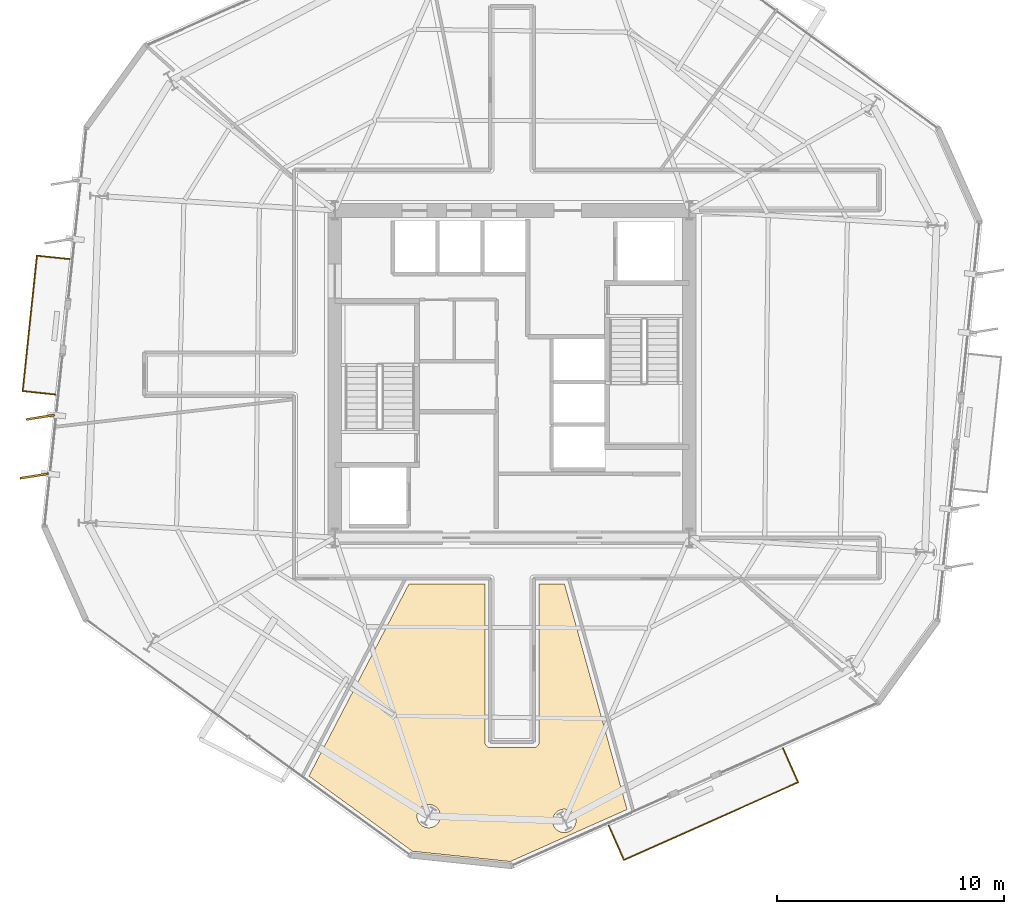
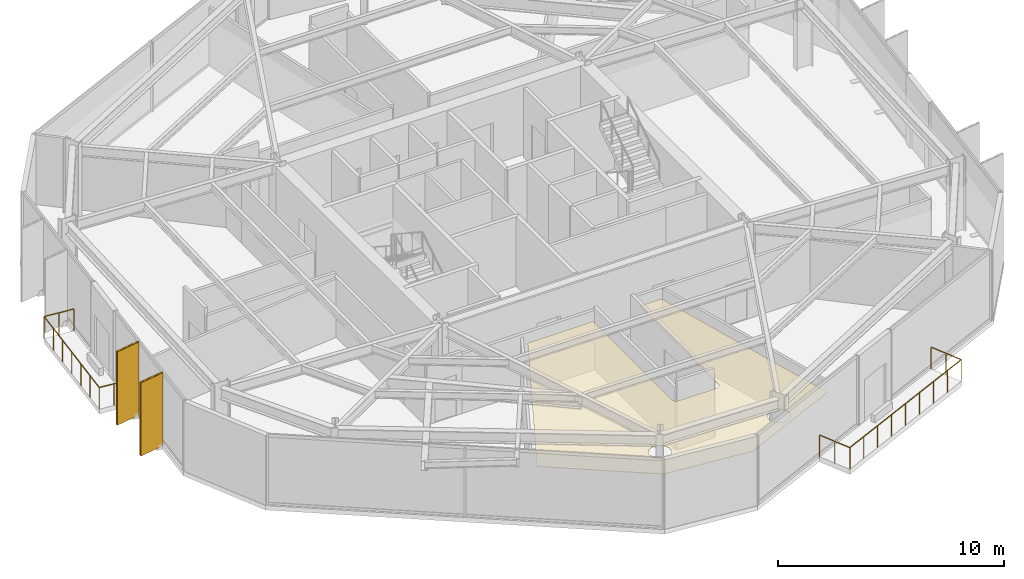
# One storey, part 9 of 13: 3 coverings, 2 railings, 2 shading devices.
"""IFC4 building model written with IfcOpenShell, lengths in metres."""

from ifc_helpers import new_model, si_unit, direction, frame, origin, origin_2d, place, context, subcontext, project, spatial, polyline, rectangle, circle, outline, extrude, material, layer, layer_set, type_object, element, save


model = new_model("IFC4")

# Units and contexts
model_context = context("Model", 3, precision=1e-05, world=origin(), true_north=direction((0.0, 1.0)))
body_context = subcontext(model_context, "Body", "Model", "MODEL_VIEW")
ifc_project = project(units=[si_unit("LENGTHUNIT", "METRE"), si_unit("AREAUNIT", "SQUARE_METRE"), si_unit("VOLUMEUNIT", "CUBIC_METRE"), si_unit("PLANEANGLEUNIT", "RADIAN"), si_unit("MASSUNIT", "GRAM", prefix="KILO")], contexts=[model_context])

# Site, building, storey
site_placement = place(None, origin())
site = spatial("IfcSite", under=ifc_project, at=site_placement, CompositionType="ELEMENT")
building_placement = place(site_placement, origin())
building = spatial("IfcBuilding", under=site, at=building_placement, Name="Kranzbogen Civic Tower", CompositionType="ELEMENT")
storey_placement = place(building_placement, frame((0.0, 0.0, 118.39990234375)))
storey = spatial("IfcBuildingStorey", under=building, at=storey_placement, Name="L28", CompositionType="ELEMENT", Elevation=118.39990234375)

# Coverings
ifc_material_1 = material(Name="Pale Anodised Aluminium", Category="aluminium")
ifc_layer_1 = layer(ifc_material_1, 0.02490234375, Name="Pale Anodised Aluminium")
ifc_layer_set_1 = layer_set([ifc_layer_1], Name="Pale Anodised Aluminium")
covering_type_1 = type_object("IfcCoveringType", Name="Anodised Aluminium Vertical Fin Cladding 25 mm", PredefinedType="CLADDING", material=ifc_layer_set_1)
for number, where, z_axis, x_axis, name in (
    (1, (4.23388671875, 23.097900390625, -0.139892578125), (0.0, 0.0, 1.0), (-0.987350238478, -0.158554427807, 0.0), "L28 vertical fin pale-metal cladding F3-5"),
    (2, (3.9619140625, 20.511962890625, -0.139892578125), (0.0, 0.0, 1.0), (-0.987350238478, -0.158554427807, 0.0), "L28 vertical fin pale-metal cladding F3-6"),
):
    element("IfcCovering", number, at=place(storey_placement, frame(where, z_axis=z_axis, x_axis=x_axis)), inside=storey, type_object=covering_type_1, Name=name, PredefinedType="CLADDING", context=body_context, shape_type="SweptSolid", body=[
        extrude(rectangle(XDim=1.25, YDim=0.10009765625, at=origin_2d()), origin(), (0.0, 0.0, 1.0), 3.9599609375),
    ])

# Shading devices
ifc_material_2 = material(Name="Anodised Bronze Aluminium", Category="aluminium")
shading_device_type = type_object("IfcShadingDeviceType", Name="Anodised Bronze Vertical Facade Fin 1250x80", PredefinedType="USERDEFINED", material=ifc_material_2)
for number, where, z_axis, x_axis, name in (
    (3, (4.23388671875, 23.097900390625, -0.139892578125), (0.0, 0.0, 1.0), (-0.987350238478, -0.158554427807, 0.0), "L28 vertical exterior shading fin F3-5"),
    (4, (3.9619140625, 20.511962890625, -0.139892578125), (0.0, 0.0, 1.0), (-0.987350238478, -0.158554427807, 0.0), "L28 vertical exterior shading fin F3-6"),
):
    element("IfcShadingDevice", number, at=place(storey_placement, frame(where, z_axis=z_axis, x_axis=x_axis)), inside=storey, type_object=shading_device_type, Name=name, ObjectType="FIN", PredefinedType="USERDEFINED", context=body_context, shape_type="SweptSolid", body=[
        extrude(rectangle(XDim=1.25, YDim=0.080078125, at=origin_2d()), origin(), (0.0, 0.0, 1.0), 3.9599609375),
    ])

# Railings
railing_type = type_object("IfcRailingType", Name="Cantilevered Balcony Glass and Bronze Balustrade 1200", PredefinedType="BALUSTRADE", material=ifc_material_2)
railing_1_placement = place(storey_placement, frame((5.52294921875, 30.06396484375, 0.0)))
element("IfcRailing", 5, at=railing_1_placement, inside=storey, type_object=railing_type, Name="L28 exterior terrace balustrade L28-TB2", PredefinedType="BALUSTRADE", context=body_context, shape_type="SweptSolid", body=[
    extrude(circle(Radius=0.02392578125, at=origin_2d()), frame((0.0, 0.0, 1.17578125), z_axis=(-0.994482362328, 0.104903913263, 0.0), x_axis=(-0.104903913263, -0.994482362328, 0.0)), (0.0, 0.0, 1.0), 1.449951171875),
    extrude(circle(Radius=0.02392578125, at=origin_2d()), frame((-1.44189453125, 0.152099609375, 1.17578125), z_axis=(-0.104695375061, -0.99450433807, 0.0), x_axis=(0.99450433807, -0.104695375061, 0.0)), (0.0, 0.0, 1.0), 6.0),
    extrude(circle(Radius=0.02392578125, at=origin_2d()), frame((-2.070068359375, -5.81494140625, 1.17578125), z_axis=(0.994484214912, -0.104886349397, 0.0), x_axis=(0.104886349397, 0.994484214912, 0.0)), (0.0, 0.0, 1.0), 1.4501953125),
    extrude(circle(Radius=0.02099609375, at=origin_2d()), origin(), (0.0, 0.0, 1.0), 1.15185546875),
    extrude(circle(Radius=0.02099609375, at=origin_2d()), frame((-0.720947265625, 0.076171875, 0.0)), (0.0, 0.0, 1.0), 1.15185546875),
    extrude(circle(Radius=0.02099609375, at=origin_2d()), frame((-1.44189453125, 0.152099609375, 0.0)), (0.0, 0.0, 1.0), 1.15185546875),
    extrude(circle(Radius=0.02099609375, at=origin_2d()), frame((-1.546630859375, -0.84228515625, 0.0)), (0.0, 0.0, 1.0), 1.15185546875),
    extrude(circle(Radius=0.02099609375, at=origin_2d()), frame((-1.6513671875, -1.8369140625, 0.0)), (0.0, 0.0, 1.0), 1.15185546875),
    extrude(circle(Radius=0.02099609375, at=origin_2d()), frame((-1.755859375, -2.83154296875, 0.0)), (0.0, 0.0, 1.0), 1.15185546875),
    extrude(circle(Radius=0.02099609375, at=origin_2d()), frame((-1.860595703125, -3.825927734375, 0.0)), (0.0, 0.0, 1.0), 1.15185546875),
    extrude(circle(Radius=0.02099609375, at=origin_2d()), frame((-1.96533203125, -4.8203125, 0.0)), (0.0, 0.0, 1.0), 1.15185546875),
    extrude(circle(Radius=0.02099609375, at=origin_2d()), frame((-2.070068359375, -5.81494140625, 0.0)), (0.0, 0.0, 1.0), 1.15185546875),
    extrude(circle(Radius=0.02099609375, at=origin_2d()), frame((-1.34912109375, -5.89111328125, 0.0)), (0.0, 0.0, 1.0), 1.15185546875),
    extrude(circle(Radius=0.02099609375, at=origin_2d()), frame((-0.6279296875, -5.967041015625, 0.0)), (0.0, 0.0, 1.0), 1.15185546875),
])
railing_2_placement = place(storey_placement, frame((29.257080078125, 5.112060546875, 0.0)))
element("IfcRailing", 6, at=railing_2_placement, inside=storey, type_object=railing_type, Name="L28 exterior terrace balustrade L28-ST", PredefinedType="BALUSTRADE", context=body_context, shape_type="SweptSolid", body=[
    extrude(circle(Radius=0.02392578125, at=origin_2d()), frame((0.0, 0.0, 1.17578125), z_axis=(0.406687648957, -0.913567269655, 0.0), x_axis=(0.913567269655, 0.406687648957, 0.0)), (0.0, 0.0, 1.0), 1.649658203125),
    extrude(circle(Radius=0.02392578125, at=origin_2d()), frame((0.6708984375, -1.507080078125, 1.17578125), z_axis=(0.913533289669, 0.406763971692, 0.0), x_axis=(-0.406763971692, 0.913533289669, 0.0)), (0.0, 0.0, 1.0), 8.400390625),
    extrude(circle(Radius=0.02392578125, at=origin_2d()), frame((8.344970703125, 1.909912109375, 1.17578125), z_axis=(-0.406811154403, 0.913512279421, 0.0), x_axis=(-0.913512279421, -0.406811154403, 0.0)), (0.0, 0.0, 1.0), 1.649658203125),
    extrude(circle(Radius=0.02099609375, at=origin_2d()), origin(), (0.0, 0.0, 1.0), 1.15185546875),
    extrude(circle(Radius=0.02099609375, at=origin_2d()), frame((0.33544921875, -0.75341796875, 0.0)), (0.0, 0.0, 1.0), 1.15185546875),
    extrude(circle(Radius=0.02099609375, at=origin_2d()), frame((0.6708984375, -1.507080078125, 0.0)), (0.0, 0.0, 1.0), 1.15185546875),
    extrude(circle(Radius=0.02099609375, at=origin_2d()), frame((1.630126953125, -1.080078125, 0.0)), (0.0, 0.0, 1.0), 1.15185546875),
    extrude(circle(Radius=0.02099609375, at=origin_2d()), frame((2.58935546875, -0.65283203125, 0.0)), (0.0, 0.0, 1.0), 1.15185546875),
    extrude(circle(Radius=0.02099609375, at=origin_2d()), frame((3.548583984375, -0.2255859375, 0.0)), (0.0, 0.0, 1.0), 1.15185546875),
    extrude(circle(Radius=0.02099609375, at=origin_2d()), frame((4.5078125, 0.201416015625, 0.0)), (0.0, 0.0, 1.0), 1.15185546875),
    extrude(circle(Radius=0.02099609375, at=origin_2d()), frame((5.46728515625, 0.62841796875, 0.0)), (0.0, 0.0, 1.0), 1.15185546875),
    extrude(circle(Radius=0.02099609375, at=origin_2d()), frame((6.426513671875, 1.0556640625, 0.0)), (0.0, 0.0, 1.0), 1.15185546875),
    extrude(circle(Radius=0.02099609375, at=origin_2d()), frame((7.3857421875, 1.48291015625, 0.0)), (0.0, 0.0, 1.0), 1.15185546875),
    extrude(circle(Radius=0.02099609375, at=origin_2d()), frame((8.344970703125, 1.909912109375, 0.0)), (0.0, 0.0, 1.0), 1.15185546875),
    extrude(circle(Radius=0.02099609375, at=origin_2d()), frame((8.00927734375, 2.66357421875, 0.0)), (0.0, 0.0, 1.0), 1.15185546875),
    extrude(circle(Radius=0.02099609375, at=origin_2d()), frame((7.673828125, 3.4169921875, 0.0)), (0.0, 0.0, 1.0), 1.15185546875),
])

# Covering
ifc_material_3 = material(Name="Perforated Acoustic Gypsum Ceiling")
ifc_layer_2 = layer(ifc_material_3, 0.02490234375, Name="Perforated Acoustic Gypsum Ceiling")
ifc_layer_set_2 = layer_set([ifc_layer_2], Name="Perforated Acoustic Gypsum Ceiling")
covering_type_2 = type_object("IfcCoveringType", Name="Perforated Acoustic Mineral Ceiling Tile 25 mm", PredefinedType="CEILING", material=ifc_layer_set_2)
covering_placement = place(storey_placement, frame((0.0, 0.0, 2.75)))
element("IfcCovering", 7, at=covering_placement, inside=storey, type_object=covering_type_2, Name="L28 Parliamentary Review Boardroom acoustic ceiling", PredefinedType="CEILING", context=body_context, shape_type="SweptSolid", body=[
    extrude(outline(polyline([(20.616943359375, 3.988037109375), (16.05810546875, 7.301025390625), (20.4609375, 15.7548828125), (23.804931640625, 15.7548828125), (23.804931640625, 8.800048828125), (23.804931640625, 8.791015625), (23.805908203125, 8.784912109375), (23.806884765625, 8.76708984375), (23.80810546875, 8.760986328125), (23.81201171875, 8.743896484375), (23.81298828125, 8.737060546875), (23.818115234375, 8.719970703125), (23.820068359375, 8.714111328125), (23.826904296875, 8.697998046875), (23.830078125, 8.69189453125), (23.837890625, 8.677001953125), (23.842041015625, 8.6708984375), (23.85107421875, 8.656982421875), (23.85498046875, 8.652099609375), (23.865966796875, 8.637939453125), (23.87109375, 8.633056640625), (23.883056640625, 8.62109375), (23.887939453125, 8.615966796875), (23.902099609375, 8.60498046875), (23.906982421875, 8.60107421875), (23.9208984375, 8.592041015625), (23.927001953125, 8.587890625), (23.94189453125, 8.580078125), (23.947998046875, 8.576904296875), (23.964111328125, 8.570068359375), (23.969970703125, 8.568115234375), (23.987060546875, 8.56298828125), (23.993896484375, 8.56201171875), (24.010986328125, 8.55810546875), (24.01708984375, 8.556884765625), (24.034912109375, 8.555908203125), (24.041015625, 8.554931640625), (24.050048828125, 8.554931640625), (25.949951171875, 8.554931640625), (25.958984375, 8.554931640625), (25.965087890625, 8.555908203125), (25.98291015625, 8.556884765625), (25.989013671875, 8.55810546875), (26.006103515625, 8.56201171875), (26.012939453125, 8.56298828125), (26.030029296875, 8.568115234375), (26.035888671875, 8.570068359375), (26.052001953125, 8.576904296875), (26.05810546875, 8.580078125), (26.072998046875, 8.587890625), (26.0791015625, 8.592041015625), (26.093017578125, 8.60107421875), (26.097900390625, 8.60498046875), (26.112060546875, 8.615966796875), (26.116943359375, 8.62109375), (26.12890625, 8.633056640625), (26.134033203125, 8.637939453125), (26.14501953125, 8.652099609375), (26.14892578125, 8.656982421875), (26.157958984375, 8.6708984375), (26.162109375, 8.677001953125), (26.169921875, 8.69189453125), (26.173095703125, 8.697998046875), (26.179931640625, 8.714111328125), (26.181884765625, 8.719970703125), (26.18701171875, 8.737060546875), (26.18798828125, 8.743896484375), (26.19189453125, 8.760986328125), (26.193115234375, 8.76708984375), (26.194091796875, 8.784912109375), (26.195068359375, 8.791015625), (26.195068359375, 8.800048828125), (26.195068359375, 15.7548828125), (27.31201171875, 15.7548828125), (30.06689453125, 5.827880859375), (24.9189453125, 3.535888671875), (20.616943359375, 3.988037109375)]), holes=[polyline([(21.806884765625, 5.339111328125), (21.785888671875, 5.2939453125), (21.760009765625, 5.25), (21.72998046875, 5.2099609375), (21.696044921875, 5.172119140625), (21.657958984375, 5.137939453125), (21.617919921875, 5.10791015625), (21.573974609375, 5.08203125), (21.529052734375, 5.06103515625), (21.48095703125, 5.0439453125), (21.431884765625, 5.031982421875), (21.382080078125, 5.02392578125), (21.33203125, 5.02197265625), (21.281982421875, 5.02392578125), (21.23193359375, 5.031982421875), (21.18310546875, 5.0439453125), (21.135009765625, 5.06103515625), (21.090087890625, 5.08203125), (21.0458984375, 5.10791015625), (21.006103515625, 5.137939453125), (20.968017578125, 5.172119140625), (20.93408203125, 5.2099609375), (20.904052734375, 5.25), (20.8779296875, 5.2939453125), (20.85693359375, 5.339111328125), (20.840087890625, 5.386962890625), (20.827880859375, 5.43603515625), (20.820068359375, 5.486083984375), (20.818115234375, 5.535888671875), (20.820068359375, 5.5859375), (20.827880859375, 5.635986328125), (20.840087890625, 5.68505859375), (20.85693359375, 5.73291015625), (20.8779296875, 5.778076171875), (20.904052734375, 5.822021484375), (20.93408203125, 5.862060546875), (20.968017578125, 5.89990234375), (21.006103515625, 5.93408203125), (21.0458984375, 5.964111328125), (21.090087890625, 5.989990234375), (21.135009765625, 6.010986328125), (21.18310546875, 6.028076171875), (21.23193359375, 6.0400390625), (21.281982421875, 6.048095703125), (21.33203125, 6.050048828125), (21.382080078125, 6.048095703125), (21.431884765625, 6.0400390625), (21.48095703125, 6.028076171875), (21.529052734375, 6.010986328125), (21.573974609375, 5.989990234375), (21.617919921875, 5.964111328125), (21.657958984375, 5.93408203125), (21.696044921875, 5.89990234375), (21.72998046875, 5.862060546875), (21.760009765625, 5.822021484375), (21.785888671875, 5.778076171875), (21.806884765625, 5.73291015625), (21.823974609375, 5.68505859375), (21.8359375, 5.635986328125), (21.843994140625, 5.5859375), (21.845947265625, 5.535888671875), (21.843994140625, 5.486083984375), (21.8359375, 5.43603515625), (21.823974609375, 5.386962890625), (21.806884765625, 5.339111328125)]), polyline([(27.77587890625, 5.131103515625), (27.7548828125, 5.0859375), (27.72900390625, 5.0419921875), (27.698974609375, 5.001953125), (27.6650390625, 4.964111328125), (27.626953125, 4.929931640625), (27.5869140625, 4.89990234375), (27.54296875, 4.8740234375), (27.498046875, 4.85302734375), (27.449951171875, 4.8359375), (27.40087890625, 4.823974609375), (27.35107421875, 4.81591796875), (27.301025390625, 4.81396484375), (27.2509765625, 4.81591796875), (27.200927734375, 4.823974609375), (27.152099609375, 4.8359375), (27.10400390625, 4.85302734375), (27.05908203125, 4.8740234375), (27.014892578125, 4.89990234375), (26.97509765625, 4.929931640625), (26.93701171875, 4.964111328125), (26.903076171875, 5.001953125), (26.873046875, 5.0419921875), (26.846923828125, 5.0859375), (26.825927734375, 5.131103515625), (26.80908203125, 5.178955078125), (26.797119140625, 5.22802734375), (26.7890625, 5.278076171875), (26.787109375, 5.327880859375), (26.7890625, 5.3779296875), (26.797119140625, 5.427978515625), (26.80908203125, 5.47705078125), (26.825927734375, 5.52490234375), (26.846923828125, 5.570068359375), (26.873046875, 5.614013671875), (26.903076171875, 5.654052734375), (26.93701171875, 5.69189453125), (26.97509765625, 5.72607421875), (27.014892578125, 5.756103515625), (27.05908203125, 5.781982421875), (27.10400390625, 5.802978515625), (27.152099609375, 5.820068359375), (27.200927734375, 5.83203125), (27.2509765625, 5.840087890625), (27.301025390625, 5.842041015625), (27.35107421875, 5.840087890625), (27.40087890625, 5.83203125), (27.449951171875, 5.820068359375), (27.498046875, 5.802978515625), (27.54296875, 5.781982421875), (27.5869140625, 5.756103515625), (27.626953125, 5.72607421875), (27.6650390625, 5.69189453125), (27.698974609375, 5.654052734375), (27.72900390625, 5.614013671875), (27.7548828125, 5.570068359375), (27.77587890625, 5.52490234375), (27.79296875, 5.47705078125), (27.804931640625, 5.427978515625), (27.81298828125, 5.3779296875), (27.81494140625, 5.327880859375), (27.81298828125, 5.278076171875), (27.804931640625, 5.22802734375), (27.79296875, 5.178955078125), (27.77587890625, 5.131103515625)])]), origin(), (0.0, 0.0, 1.0), 0.025146484375),
])

save(model, "model.ifc")
